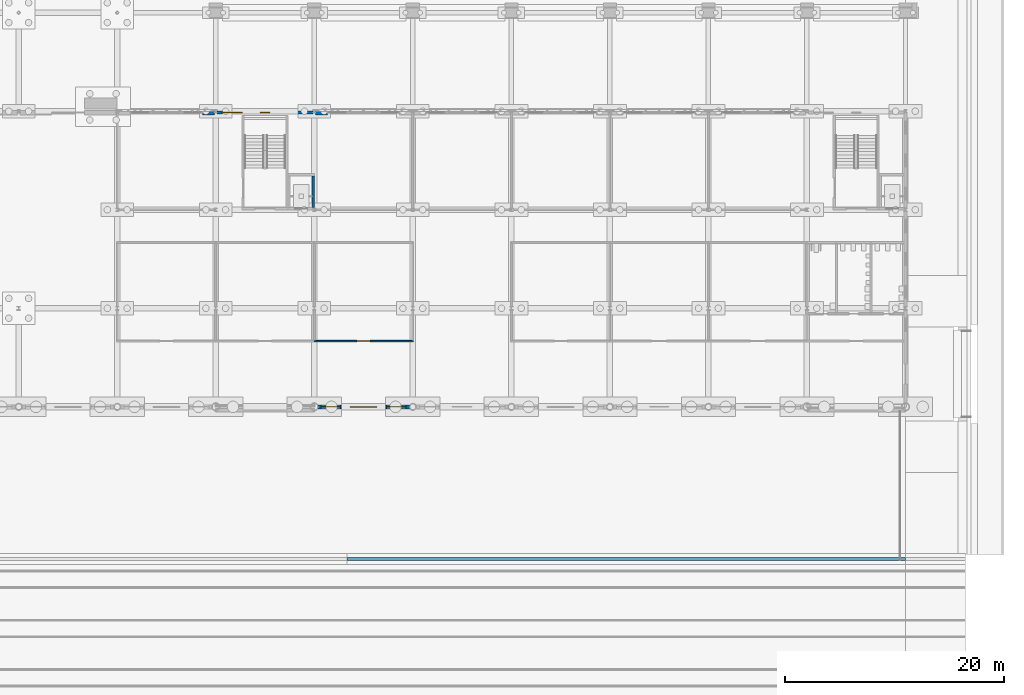
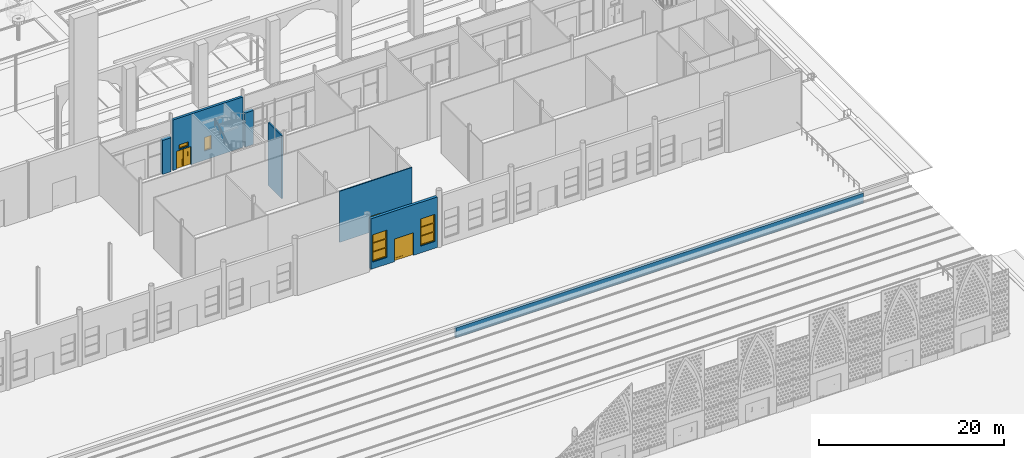
# One storey, part 127 of 250: 7 walls, 4 windows, 3 doors, 7 openings.
"""IFC4 building model written with IfcOpenShell, lengths in metres."""

from ifc_helpers import new_model, si_unit, direction, frame, frame_2d, origin, place, context, subcontext, project, spatial, polyline, rectangle, outline, extrude, material, layer, layer_set, type_object, element, fill, save


model = new_model("IFC4")

# Units and contexts
model_context = context("Model", 3, precision=1e-05, world=origin(), true_north=direction((0.0, 1.0)))
body_context = subcontext(model_context, "Body", "Model", "MODEL_VIEW")
ifc_project = project(units=[si_unit("LENGTHUNIT", "METRE"), si_unit("AREAUNIT", "SQUARE_METRE"), si_unit("VOLUMEUNIT", "CUBIC_METRE"), si_unit("PLANEANGLEUNIT", "RADIAN"), si_unit("MASSUNIT", "GRAM", prefix="KILO")], contexts=[model_context])

# Site, building, storey
site_placement = place(None, origin())
site = spatial("IfcSite", under=ifc_project, at=site_placement, CompositionType="ELEMENT")
building_placement = place(site_placement, origin())
building = spatial("IfcBuilding", under=site, at=building_placement, Name="Baradari Gate Terminus", CompositionType="ELEMENT")
storey_placement = place(building_placement, origin())
storey = spatial("IfcBuildingStorey", under=building, at=storey_placement, Name="L00", CompositionType="ELEMENT", Elevation=0.0)

# Wall, opening, door
ifc_material_1 = material(Name="Gypsum board")
ifc_layer_1 = layer(ifc_material_1, 0.125)
ifc_layer_set_1 = layer_set([ifc_layer_1], Name="Gypsum board")
wall_type_1 = type_object("IfcWallType", Name="Corridor partition PT-5 125 EI 30", PredefinedType="PARTITIONING", material=ifc_layer_set_1)
wall_1_placement = place(storey_placement, frame((189.0, 87.0, 0.0), z_axis=(0.0, 0.0, 1.0), x_axis=(1.0, 0.0, 0.0)))
wall_1 = element("IfcWall", 1, at=wall_1_placement, inside=storey, type_object=wall_type_1, Name="PT-5 partition Corridor (Platform Passage East) / First Aid Room", PredefinedType="PARTITIONING", context=body_context, shape_type="SweptSolid", body=[
    extrude(rectangle(XDim=9.0625, YDim=0.125, at=frame_2d((4.53125, 0.0))), origin(), (0.0, 0.0, 1.0), 6.757080078125),
])
opening_1_placement = place(wall_1_placement, frame((3.89990234375, 0.0, 0.0)))
opening_1 = element("IfcOpeningElement", 2, at=opening_1_placement, cuts=wall_1, Name="Opening D00-113", PredefinedType="OPENING", context=body_context, shape_type="SweptSolid", body=[
    extrude(rectangle(XDim=1.199951171875, YDim=2.10009765625, at=frame_2d((0.60009765625, 1.050048828125))), frame((0.0, 0.072509765625, 0.0), z_axis=(0.0, -1.0, 0.0), x_axis=(1.0, 0.0, 0.0)), (0.0, 0.0, 1.0), 0.14501953125),
])
ifc_material_2 = material(Name="Steel S275", Category="steel")
door_type_1 = type_object("IfcDoorType", Name="Fire door FI-1200-FD30S 1200x2100 FD30S", OperationType="DOUBLE_DOOR_SINGLE_SWING", PredefinedType="DOOR", material=ifc_material_2)
door_1_placement = place(opening_1_placement, origin())
door_1 = element("IfcDoor", 3, at=door_1_placement, inside=storey, type_object=door_type_1, Name="Door First Aid Room", OperationType="DOUBLE_DOOR_SINGLE_SWING", OverallHeight=2.1, OverallWidth=1.2, PredefinedType="DOOR", context=body_context, shape_type="SweptSolid", body=[
    extrude(outline(polyline([(0.0, 0.0), (0.070068359375, 0.0), (0.070068359375, 2.030029296875), (1.1298828125, 2.030029296875), (1.1298828125, 0.0), (1.199951171875, 0.0), (1.199951171875, 2.10009765625), (0.0, 2.10009765625), (0.0, 0.0)])), frame((0.0, 0.02490234375, 0.0), z_axis=(0.0, -1.0, 0.0), x_axis=(1.0, 0.0, 0.0)), (0.0, 0.0, 1.0), 0.050048828125),
    extrude(outline(polyline([(0.073974609375, 0.010009765625), (0.596923828125, 0.010009765625), (0.596923828125, 2.026123046875), (0.073974609375, 2.026123046875), (0.073974609375, 0.010009765625)]), holes=[polyline([(0.178466796875, 0.372802734375), (0.492431640625, 0.372802734375), (0.492431640625, 1.7841796875), (0.178466796875, 1.7841796875), (0.178466796875, 0.372802734375)])]), frame((0.0, 0.017333984375, 0.0), z_axis=(0.0, -1.0, 0.0), x_axis=(1.0, 0.0, 0.0)), (0.0, 0.0, 1.0), 0.034912109375),
    extrude(rectangle(XDim=0.31396484375, YDim=1.411376953125, at=frame_2d((0.33544921875, 1.07861328125))), frame((0.0, 0.008544921875, 0.0), z_axis=(0.0, -1.0, 0.0), x_axis=(1.0, 0.0, 0.0)), (0.0, 0.0, 1.0), 0.017333984375),
    extrude(outline(polyline([(0.60302734375, 0.010009765625), (1.1259765625, 0.010009765625), (1.1259765625, 2.026123046875), (0.60302734375, 2.026123046875), (0.60302734375, 0.010009765625)]), holes=[polyline([(0.70751953125, 0.372802734375), (1.021484375, 0.372802734375), (1.021484375, 1.7841796875), (0.70751953125, 1.7841796875), (0.70751953125, 0.372802734375)])]), frame((0.0, 0.017333984375, 0.0), z_axis=(0.0, -1.0, 0.0), x_axis=(1.0, 0.0, 0.0)), (0.0, 0.0, 1.0), 0.034912109375),
    extrude(rectangle(XDim=0.31396484375, YDim=1.411376953125, at=frame_2d((0.864501953125, 1.07861328125))), frame((0.0, 0.008544921875, 0.0), z_axis=(0.0, -1.0, 0.0), x_axis=(1.0, 0.0, 0.0)), (0.0, 0.0, 1.0), 0.017333984375),
])
fill(opening_1, door_1)

# Walls
ifc_material_3 = material(Name="Laterite masonry", Category="masonry")
ifc_layer_2 = layer(ifc_material_3, 0.449951171875)
ifc_layer_set_2 = layer_set([ifc_layer_2], Name="Laterite masonry")
wall_type_2 = type_object("IfcWallType", Name="Laterite masonry pier WC-1 450", PredefinedType="SOLIDWALL", material=ifc_layer_set_2)
for number, where, z_axis, x_axis, name in (
    (4, (178.800048828125, 107.87841796875, 0.0), (0.0, 0.0, 1.0), (1.0, 0.0, 0.0), "Stone-clad pier HN bay 19 L00"),
    (5, (189.128173828125, 107.87841796875, 0.0), (0.0, 0.0, 1.0), (1.0, 0.0, 0.0), "Stone-clad pier HN bay 21 L00"),
):
    element("IfcWall", number, at=place(storey_placement, frame(where, z_axis=z_axis, x_axis=x_axis)), inside=storey, type_object=wall_type_2, Name=name, PredefinedType="SOLIDWALL", context=body_context, shape_type="SweptSolid", body=[
        extrude(rectangle(XDim=1.07177734375, YDim=0.449951171875, at=frame_2d((0.535888671875, 0.0))), origin(), (0.0, 0.0, 1.0), 4.5),
    ])
ifc_material_4 = material(Name="Blockwork wall, fire rated", Category="masonry")
ifc_layer_3 = layer(ifc_material_4, 0.199951171875)
ifc_layer_set_3 = layer_set([ifc_layer_3], Name="Blockwork wall, fire rated")
wall_type_3 = type_object("IfcWallType", Name="Lift shaft wall SH-1 200 EI 120", PredefinedType="SOLIDWALL", material=ifc_layer_set_3)
wall_2_placement = place(storey_placement, frame((188.89990234375, 99.199951171875, -1.60009765625), z_axis=(0.0, 0.0, 1.0), x_axis=(0.0, 1.0, 0.0)))
element("IfcWall", 6, at=wall_2_placement, inside=storey, type_object=wall_type_3, Name="Lift shaft wall LH3 L00 E", PredefinedType="SOLIDWALL", context=body_context, shape_type="SweptSolid", body=[
    extrude(rectangle(XDim=2.900146484375, YDim=0.199951171875, at=frame_2d((1.4501953125, 0.0))), origin(), (0.0, 0.0, 1.0), 8.357177734375),
])
ifc_material_5 = material(Name="Concrete C40/50", Category="concrete")
ifc_layer_4 = layer(ifc_material_5, 0.300048828125)
ifc_layer_set_4 = layer_set([ifc_layer_4], Name="Concrete C40/50")
wall_type_4 = type_object("IfcWallType", Name="Platform edge wall CWL06 300", PredefinedType="SOLIDWALL", material=ifc_layer_set_4)
wall_3_placement = place(storey_placement, frame((192.0, 67.10009765625, -1.572021484375), z_axis=(0.0, 0.0, 1.0), x_axis=(1.0, 0.0, 0.0)))
element("IfcWall", 7, at=wall_3_placement, inside=storey, type_object=wall_type_4, Name="Platform 2 edge wall 4", PredefinedType="SOLIDWALL", context=body_context, shape_type="SweptSolid", body=[
    extrude(rectangle(XDim=51.0, YDim=0.300048828125, at=frame_2d((25.5, 0.0))), origin(), (0.0, 0.0, 1.0), 1.322021484375),
])

# Wall, openings, door, windows
ifc_material_6 = material(Name="Sandstone masonry", Category="masonry")
ifc_layer_5 = layer(ifc_material_6, 0.35009765625)
ifc_layer_set_5 = layer_set([ifc_layer_5], Name="Sandstone masonry")
wall_type_5 = type_object("IfcWallType", Name="Sandstone masonry wall WS-1 350", PredefinedType="SOLIDWALL", material=ifc_layer_set_5)
wall_4_placement = place(storey_placement, frame((189.35546875, 81.0, 0.0), z_axis=(0.0, 0.0, 1.0), x_axis=(1.0, 0.0, 0.0)))
wall_4 = element("IfcWall", 8, at=wall_4_placement, inside=storey, type_object=wall_type_5, Name="platform side HS bay 22 L00", PredefinedType="SOLIDWALL", context=body_context, shape_type="SweptSolid", body=[
    extrude(rectangle(XDim=8.339599609375, YDim=0.35009765625, at=frame_2d((4.169921875, 0.0))), origin(), (0.0, 0.0, 1.0), 6.692138671875),
])
opening_2_placement = place(wall_4_placement, frame((2.944580078125, 0.0, 0.0)))
opening_2 = element("IfcOpeningElement", 9, at=opening_2_placement, cuts=wall_4, Name="Opening D00-041", PredefinedType="OPENING", context=body_context, shape_type="SweptSolid", body=[
    extrude(rectangle(XDim=2.39990234375, YDim=3.0, at=frame_2d((1.199951171875, 1.5))), frame((0.0, 0.18505859375, 0.0), z_axis=(0.0, -1.0, 0.0), x_axis=(1.0, 0.0, 0.0)), (0.0, 0.0, 1.0), 0.3701171875),
])
opening_3_placement = place(wall_4_placement, frame((0.244384765625, 0.0, 0.89990234375)))
opening_3 = element("IfcOpeningElement", 10, at=opening_3_placement, cuts=wall_4, Name="Opening W3", PredefinedType="OPENING", context=body_context, shape_type="SweptSolid", body=[
    extrude(rectangle(XDim=1.800048828125, YDim=3.60009765625, at=frame_2d((0.89990234375, 1.800048828125))), frame((0.0, 0.18505859375, 0.0), z_axis=(0.0, -1.0, 0.0), x_axis=(1.0, 0.0, 0.0)), (0.0, 0.0, 1.0), 0.3701171875),
])
opening_4_placement = place(wall_4_placement, frame((6.244384765625, 0.0, 0.89990234375)))
opening_4 = element("IfcOpeningElement", 11, at=opening_4_placement, cuts=wall_4, Name="Opening W3", PredefinedType="OPENING", context=body_context, shape_type="SweptSolid", body=[
    extrude(rectangle(XDim=1.800048828125, YDim=3.60009765625, at=frame_2d((0.89990234375, 1.800048828125))), frame((0.0, 0.18505859375, 0.0), z_axis=(0.0, -1.0, 0.0), x_axis=(1.0, 0.0, 0.0)), (0.0, 0.0, 1.0), 0.3701171875),
])
ifc_material_7 = material(Name="Aluminium 6063-T6", Category="aluminium")
door_type_2 = type_object("IfcDoorType", Name="Platform door pair, glazed DT-7 2400x3000", OperationType="DOUBLE_DOOR_SINGLE_SWING", PredefinedType="DOOR", material=ifc_material_7)
door_2_placement = place(opening_2_placement, frame((2.39990234375, 0.0, 0.0), z_axis=(0.0, 0.0, 1.0), x_axis=(-1.0, 0.0, 0.0)))
door_2 = element("IfcDoor", 12, at=door_2_placement, inside=storey, type_object=door_type_2, Name="Exit door Corridor (Platform Passage East)", OperationType="DOUBLE_DOOR_SINGLE_SWING", OverallHeight=3.0, OverallWidth=2.4, PredefinedType="DOOR", context=body_context, shape_type="SweptSolid", body=[
    extrude(outline(polyline([(0.0, 0.0), (0.070068359375, 0.0), (0.070068359375, 2.929931640625), (2.329833984375, 2.929931640625), (2.329833984375, 0.0), (2.39990234375, 0.0), (2.39990234375, 3.0), (0.0, 3.0), (0.0, 0.0)])), frame((0.0, 0.02490234375, 0.0), z_axis=(0.0, -1.0, 0.0), x_axis=(1.0, 0.0, 0.0)), (0.0, 0.0, 1.0), 0.050048828125),
    extrude(outline(polyline([(0.073974609375, 0.010009765625), (1.19677734375, 0.010009765625), (1.19677734375, 2.926025390625), (0.073974609375, 2.926025390625), (0.073974609375, 0.010009765625)]), holes=[polyline([(0.1640625, 0.31005859375), (1.10693359375, 0.31005859375), (1.10693359375, 2.8359375), (0.1640625, 2.8359375), (0.1640625, 0.31005859375)])]), frame((0.0, 0.017333984375, 0.0), z_axis=(0.0, -1.0, 0.0), x_axis=(1.0, 0.0, 0.0)), (0.0, 0.0, 1.0), 0.034912109375),
    extrude(rectangle(XDim=0.94287109375, YDim=2.52587890625, at=frame_2d((0.635498046875, 1.572998046875))), frame((0.0, 0.005859375, 0.0), z_axis=(0.0, -1.0, 0.0), x_axis=(1.0, 0.0, 0.0)), (0.0, 0.0, 1.0), 0.011962890625),
    extrude(outline(polyline([(1.203125, 0.010009765625), (2.325927734375, 0.010009765625), (2.325927734375, 2.926025390625), (1.203125, 2.926025390625), (1.203125, 0.010009765625)]), holes=[polyline([(1.29296875, 0.31005859375), (2.23583984375, 0.31005859375), (2.23583984375, 2.8359375), (1.29296875, 2.8359375), (1.29296875, 0.31005859375)])]), frame((0.0, 0.017333984375, 0.0), z_axis=(0.0, -1.0, 0.0), x_axis=(1.0, 0.0, 0.0)), (0.0, 0.0, 1.0), 0.034912109375),
    extrude(rectangle(XDim=0.94287109375, YDim=2.52587890625, at=frame_2d((1.764404296875, 1.572998046875))), frame((0.0, 0.005859375, 0.0), z_axis=(0.0, -1.0, 0.0), x_axis=(1.0, 0.0, 0.0)), (0.0, 0.0, 1.0), 0.011962890625),
])
fill(opening_2, door_2)
ifc_material_8 = material(Name="Aluminium 6063-T6", Category="aluminium")
window_type_1 = type_object("IfcWindowType", Name="Tall window, 3-light W3 1800x3600", PartitioningType="TRIPLE_PANEL_HORIZONTAL", PredefinedType="WINDOW", material=ifc_material_8)
window_1_placement = place(opening_3_placement, origin())
window_1 = element("IfcWindow", 13, at=window_1_placement, inside=storey, type_object=window_type_1, Name="Window W3 HS/21", OverallHeight=3.6, OverallWidth=1.8, PartitioningType="TRIPLE_PANEL_HORIZONTAL", PredefinedType="WINDOW", context=body_context, shape_type="SweptSolid", body=[
    extrude(outline(polyline([(0.0, 0.0), (1.800048828125, 0.0), (1.800048828125, 3.60009765625), (0.0, 3.60009765625), (0.0, 0.0)]), holes=[polyline([(0.070068359375, 0.070068359375), (1.72998046875, 0.070068359375), (1.72998046875, 3.530029296875), (0.070068359375, 3.530029296875), (0.070068359375, 0.070068359375)])]), frame((0.0, 0.030029296875, 0.0), z_axis=(0.0, -1.0, 0.0), x_axis=(1.0, 0.0, 0.0)), (0.0, 0.0, 1.0), 0.06005859375),
    extrude(rectangle(XDim=1.659912109375, YDim=0.0400390625, at=frame_2d((0.89990234375, 1.216796875))), frame((0.0, 0.021484375, 0.0), z_axis=(0.0, -1.0, 0.0), x_axis=(1.0, 0.0, 0.0)), (0.0, 0.0, 1.0), 0.04296875),
    extrude(rectangle(XDim=1.659912109375, YDim=0.0400390625, at=frame_2d((0.89990234375, 2.38330078125))), frame((0.0, 0.021484375, 0.0), z_axis=(0.0, -1.0, 0.0), x_axis=(1.0, 0.0, 0.0)), (0.0, 0.0, 1.0), 0.04296875),
    extrude(outline(polyline([(0.070068359375, 0.070068359375), (1.72998046875, 0.070068359375), (1.72998046875, 1.19677734375), (0.070068359375, 1.19677734375), (0.070068359375, 0.070068359375)]), holes=[polyline([(0.10009765625, 0.10009765625), (1.699951171875, 0.10009765625), (1.699951171875, 1.166748046875), (0.10009765625, 1.166748046875), (0.10009765625, 0.10009765625)])]), frame((0.0, 0.0224609375, 0.0), z_axis=(0.0, -1.0, 0.0), x_axis=(1.0, 0.0, 0.0)), (0.0, 0.0, 1.0), 0.044921875),
    extrude(rectangle(XDim=1.599853515625, YDim=1.066650390625, at=frame_2d((0.89990234375, 0.63330078125))), frame((0.0, 0.006103515625, 0.0), z_axis=(0.0, -1.0, 0.0), x_axis=(1.0, 0.0, 0.0)), (0.0, 0.0, 1.0), 0.01220703125),
    extrude(outline(polyline([(0.070068359375, 1.23681640625), (1.72998046875, 1.23681640625), (1.72998046875, 2.36328125), (0.070068359375, 2.36328125), (0.070068359375, 1.23681640625)]), holes=[polyline([(0.10009765625, 1.266845703125), (1.699951171875, 1.266845703125), (1.699951171875, 2.333251953125), (0.10009765625, 2.333251953125), (0.10009765625, 1.266845703125)])]), frame((0.0, 0.0224609375, 0.0), z_axis=(0.0, -1.0, 0.0), x_axis=(1.0, 0.0, 0.0)), (0.0, 0.0, 1.0), 0.044921875),
    extrude(rectangle(XDim=1.599853515625, YDim=1.06640625, at=frame_2d((0.89990234375, 1.800048828125))), frame((0.0, 0.006103515625, 0.0), z_axis=(0.0, -1.0, 0.0), x_axis=(1.0, 0.0, 0.0)), (0.0, 0.0, 1.0), 0.01220703125),
    extrude(outline(polyline([(0.070068359375, 2.4033203125), (1.72998046875, 2.4033203125), (1.72998046875, 3.530029296875), (0.070068359375, 3.530029296875), (0.070068359375, 2.4033203125)]), holes=[polyline([(0.10009765625, 2.433349609375), (1.699951171875, 2.433349609375), (1.699951171875, 3.5), (0.10009765625, 3.5), (0.10009765625, 2.433349609375)])]), frame((0.0, 0.0224609375, 0.0), z_axis=(0.0, -1.0, 0.0), x_axis=(1.0, 0.0, 0.0)), (0.0, 0.0, 1.0), 0.044921875),
    extrude(rectangle(XDim=1.599853515625, YDim=1.066650390625, at=frame_2d((0.89990234375, 2.966796875))), frame((0.0, 0.006103515625, 0.0), z_axis=(0.0, -1.0, 0.0), x_axis=(1.0, 0.0, 0.0)), (0.0, 0.0, 1.0), 0.01220703125),
])
fill(opening_3, window_1)
window_2_placement = place(opening_4_placement, origin())
window_2 = element("IfcWindow", 14, at=window_2_placement, inside=storey, type_object=window_type_1, Name="Window W3 HS/21", OverallHeight=3.6, OverallWidth=1.8, PartitioningType="TRIPLE_PANEL_HORIZONTAL", PredefinedType="WINDOW", context=body_context, shape_type="SweptSolid", body=[
    extrude(outline(polyline([(0.0, 0.0), (1.800048828125, 0.0), (1.800048828125, 3.60009765625), (0.0, 3.60009765625), (0.0, 0.0)]), holes=[polyline([(0.070068359375, 0.070068359375), (1.72998046875, 0.070068359375), (1.72998046875, 3.530029296875), (0.070068359375, 3.530029296875), (0.070068359375, 0.070068359375)])]), frame((0.0, 0.030029296875, 0.0), z_axis=(0.0, -1.0, 0.0), x_axis=(1.0, 0.0, 0.0)), (0.0, 0.0, 1.0), 0.06005859375),
    extrude(rectangle(XDim=1.659912109375, YDim=0.0400390625, at=frame_2d((0.89990234375, 1.216796875))), frame((0.0, 0.021484375, 0.0), z_axis=(0.0, -1.0, 0.0), x_axis=(1.0, 0.0, 0.0)), (0.0, 0.0, 1.0), 0.04296875),
    extrude(rectangle(XDim=1.659912109375, YDim=0.0400390625, at=frame_2d((0.89990234375, 2.38330078125))), frame((0.0, 0.021484375, 0.0), z_axis=(0.0, -1.0, 0.0), x_axis=(1.0, 0.0, 0.0)), (0.0, 0.0, 1.0), 0.04296875),
    extrude(outline(polyline([(0.070068359375, 0.070068359375), (1.72998046875, 0.070068359375), (1.72998046875, 1.19677734375), (0.070068359375, 1.19677734375), (0.070068359375, 0.070068359375)]), holes=[polyline([(0.10009765625, 0.10009765625), (1.699951171875, 0.10009765625), (1.699951171875, 1.166748046875), (0.10009765625, 1.166748046875), (0.10009765625, 0.10009765625)])]), frame((0.0, 0.0224609375, 0.0), z_axis=(0.0, -1.0, 0.0), x_axis=(1.0, 0.0, 0.0)), (0.0, 0.0, 1.0), 0.044921875),
    extrude(rectangle(XDim=1.599853515625, YDim=1.066650390625, at=frame_2d((0.89990234375, 0.63330078125))), frame((0.0, 0.006103515625, 0.0), z_axis=(0.0, -1.0, 0.0), x_axis=(1.0, 0.0, 0.0)), (0.0, 0.0, 1.0), 0.01220703125),
    extrude(outline(polyline([(0.070068359375, 1.23681640625), (1.72998046875, 1.23681640625), (1.72998046875, 2.36328125), (0.070068359375, 2.36328125), (0.070068359375, 1.23681640625)]), holes=[polyline([(0.10009765625, 1.266845703125), (1.699951171875, 1.266845703125), (1.699951171875, 2.333251953125), (0.10009765625, 2.333251953125), (0.10009765625, 1.266845703125)])]), frame((0.0, 0.0224609375, 0.0), z_axis=(0.0, -1.0, 0.0), x_axis=(1.0, 0.0, 0.0)), (0.0, 0.0, 1.0), 0.044921875),
    extrude(rectangle(XDim=1.599853515625, YDim=1.06640625, at=frame_2d((0.89990234375, 1.800048828125))), frame((0.0, 0.006103515625, 0.0), z_axis=(0.0, -1.0, 0.0), x_axis=(1.0, 0.0, 0.0)), (0.0, 0.0, 1.0), 0.01220703125),
    extrude(outline(polyline([(0.070068359375, 2.4033203125), (1.72998046875, 2.4033203125), (1.72998046875, 3.530029296875), (0.070068359375, 3.530029296875), (0.070068359375, 2.4033203125)]), holes=[polyline([(0.10009765625, 2.433349609375), (1.699951171875, 2.433349609375), (1.699951171875, 3.5), (0.10009765625, 3.5), (0.10009765625, 2.433349609375)])]), frame((0.0, 0.0224609375, 0.0), z_axis=(0.0, -1.0, 0.0), x_axis=(1.0, 0.0, 0.0)), (0.0, 0.0, 1.0), 0.044921875),
    extrude(rectangle(XDim=1.599853515625, YDim=1.066650390625, at=frame_2d((0.89990234375, 2.966796875))), frame((0.0, 0.006103515625, 0.0), z_axis=(0.0, -1.0, 0.0), x_axis=(1.0, 0.0, 0.0)), (0.0, 0.0, 1.0), 0.01220703125),
])
fill(opening_4, window_2)

# Wall, openings, windows, door
ifc_material_9 = material(Name="Concrete C32/40", Category="concrete")
ifc_layer_6 = layer(ifc_material_9, 0.2)
ifc_material_10 = material(Name="Sandstone cladding", Category="masonry")
ifc_layer_7 = layer(ifc_material_10, 0.1)
ifc_layer_set_6 = layer_set([ifc_layer_6, ifc_layer_7], Name="Concrete C32/40")
wall_type_6 = type_object("IfcWallType", Name="Stair enclosure cladding wall WS-2 300", PredefinedType="SOLIDWALL", material=ifc_layer_set_6)
wall_5_placement = place(storey_placement, frame((180.128173828125, 107.87841796875, 0.0), z_axis=(0.0, 0.0, 1.0), x_axis=(1.0, 0.0, 0.0)))
wall_5 = element("IfcWall", 15, at=wall_5_placement, inside=storey, type_object=wall_type_6, Name="arcade HN bay 21 L00", PredefinedType="SOLIDWALL", context=body_context, shape_type="SweptSolid", body=[
    extrude(rectangle(XDim=8.74365234375, YDim=0.300048828125, at=frame_2d((4.371826171875, 0.0))), origin(), (0.0, 0.0, 1.0), 6.692138671875),
])
opening_5_placement = place(wall_5_placement, frame((0.471923828125, 0.0, 0.0)))
opening_5 = element("IfcOpeningElement", 16, at=opening_5_placement, cuts=wall_5, Name="Opening D00-026", PredefinedType="OPENING", context=body_context, shape_type="SweptSolid", body=[
    extrude(rectangle(XDim=1.800048828125, YDim=2.39990234375, at=frame_2d((0.89990234375, 1.199951171875))), frame((0.0, 0.159912109375, 0.0), z_axis=(0.0, -1.0, 0.0), x_axis=(1.0, 0.0, 0.0)), (0.0, 0.0, 1.0), 0.320068359375),
])
opening_6_placement = place(wall_5_placement, frame((0.771728515625, 0.0, 2.550048828125)))
opening_6 = element("IfcOpeningElement", 17, at=opening_6_placement, cuts=wall_5, Name="Opening W10", PredefinedType="OPENING", context=body_context, shape_type="SweptSolid", body=[
    extrude(rectangle(XDim=1.199951171875, YDim=0.60009765625, at=frame_2d((0.60009765625, 0.300048828125))), frame((0.0, 0.159912109375, 0.0), z_axis=(0.0, -1.0, 0.0), x_axis=(1.0, 0.0, 0.0)), (0.0, 0.0, 1.0), 0.320068359375),
])
opening_7_placement = place(wall_5_placement, frame((3.921875, 0.0, 1.199951171875)))
opening_7 = element("IfcOpeningElement", 18, at=opening_7_placement, cuts=wall_5, Name="Opening W6", PredefinedType="OPENING", context=body_context, shape_type="SweptSolid", body=[
    extrude(rectangle(XDim=0.89990234375, YDim=1.800048828125, at=frame_2d((0.449951171875, 0.89990234375))), frame((0.0, 0.159912109375, 0.0), z_axis=(0.0, -1.0, 0.0), x_axis=(1.0, 0.0, 0.0)), (0.0, 0.0, 1.0), 0.320068359375),
])
ifc_material_11 = material(Name="Aluminium 6063-T6", Category="aluminium")
window_type_2 = type_object("IfcWindowType", Name="Door fanlight W10 1200x600", PartitioningType="SINGLE_PANEL", PredefinedType="WINDOW", material=ifc_material_11)
window_3_placement = place(opening_6_placement, origin())
window_3 = element("IfcWindow", 19, at=window_3_placement, inside=storey, type_object=window_type_2, Name="Fanlight over Corridor (Stair Passage)", OverallHeight=0.6, OverallWidth=1.2, PartitioningType="SINGLE_PANEL", PredefinedType="WINDOW", context=body_context, shape_type="SweptSolid", body=[
    extrude(outline(polyline([(0.0, 0.0), (1.199951171875, 0.0), (1.199951171875, 0.60009765625), (0.0, 0.60009765625), (0.0, 0.0)]), holes=[polyline([(0.070068359375, 0.070068359375), (1.1298828125, 0.070068359375), (1.1298828125, 0.530029296875), (0.070068359375, 0.530029296875), (0.070068359375, 0.070068359375)])]), frame((0.0, 0.030029296875, 0.0), z_axis=(0.0, -1.0, 0.0), x_axis=(1.0, 0.0, 0.0)), (0.0, 0.0, 1.0), 0.06005859375),
    extrude(outline(polyline([(0.070068359375, 0.070068359375), (1.1298828125, 0.070068359375), (1.1298828125, 0.530029296875), (0.070068359375, 0.530029296875), (0.070068359375, 0.070068359375)]), holes=[polyline([(0.10009765625, 0.10009765625), (1.099853515625, 0.10009765625), (1.099853515625, 0.5), (0.10009765625, 0.5), (0.10009765625, 0.10009765625)])]), frame((0.0, 0.0224609375, 0.0), z_axis=(0.0, -1.0, 0.0), x_axis=(1.0, 0.0, 0.0)), (0.0, 0.0, 1.0), 0.044921875),
    extrude(rectangle(XDim=0.999755859375, YDim=0.39990234375, at=frame_2d((0.60009765625, 0.300048828125))), frame((0.0, 0.006103515625, 0.0), z_axis=(0.0, -1.0, 0.0), x_axis=(1.0, 0.0, 0.0)), (0.0, 0.0, 1.0), 0.01220703125),
])
fill(opening_6, window_3)
ifc_material_12 = material(Name="Steel S235", Category="steel")
door_type_3 = type_object("IfcDoorType", Name="Stair exit door pair, steel DT-4 1800x2400", OperationType="DOUBLE_DOOR_SINGLE_SWING", PredefinedType="DOOR", material=ifc_material_12)
door_3_placement = place(opening_5_placement, origin())
door_3 = element("IfcDoor", 20, at=door_3_placement, inside=storey, type_object=door_type_3, Name="Exit door Corridor (Stair Passage)", OperationType="DOUBLE_DOOR_SINGLE_SWING", OverallHeight=2.4, OverallWidth=1.8, PredefinedType="DOOR", context=body_context, shape_type="SweptSolid", body=[
    extrude(outline(polyline([(0.0, 0.0), (0.070068359375, 0.0), (0.070068359375, 2.329833984375), (1.72998046875, 2.329833984375), (1.72998046875, 0.0), (1.800048828125, 0.0), (1.800048828125, 2.39990234375), (0.0, 2.39990234375), (0.0, 0.0)])), frame((0.0, 0.02490234375, 0.0), z_axis=(0.0, -1.0, 0.0), x_axis=(1.0, 0.0, 0.0)), (0.0, 0.0, 1.0), 0.050048828125),
    extrude(outline(polyline([(0.073974609375, 0.010009765625), (0.89697265625, 0.010009765625), (0.89697265625, 2.325927734375), (0.073974609375, 2.325927734375), (0.073974609375, 0.010009765625)]), holes=[polyline([(0.194091796875, 0.159912109375), (0.77685546875, 0.159912109375), (0.77685546875, 1.010009765625), (0.194091796875, 1.010009765625), (0.194091796875, 0.159912109375)]), polyline([(0.33544921875, 1.159912109375), (0.635498046875, 1.159912109375), (0.635498046875, 1.760009765625), (0.33544921875, 1.760009765625), (0.33544921875, 1.159912109375)])]), frame((0.0, 0.017333984375, 0.0), z_axis=(0.0, -1.0, 0.0), x_axis=(1.0, 0.0, 0.0)), (0.0, 0.0, 1.0), 0.034912109375),
    extrude(rectangle(XDim=0.582763671875, YDim=0.85009765625, at=frame_2d((0.4853515625, 0.5849609375))), frame((0.0, 0.008544921875, 0.0), z_axis=(0.0, -1.0, 0.0), x_axis=(1.0, 0.0, 0.0)), (0.0, 0.0, 1.0), 0.017333984375),
    extrude(rectangle(XDim=0.300048828125, YDim=0.60009765625, at=frame_2d((0.4853515625, 1.4599609375))), frame((0.0, 0.005859375, 0.0), z_axis=(0.0, -1.0, 0.0), x_axis=(1.0, 0.0, 0.0)), (0.0, 0.0, 1.0), 0.011962890625),
    extrude(outline(polyline([(0.903076171875, 0.010009765625), (1.72607421875, 0.010009765625), (1.72607421875, 2.325927734375), (0.903076171875, 2.325927734375), (0.903076171875, 0.010009765625)]), holes=[polyline([(1.023193359375, 0.159912109375), (1.60595703125, 0.159912109375), (1.60595703125, 1.010009765625), (1.023193359375, 1.010009765625), (1.023193359375, 0.159912109375)]), polyline([(1.16455078125, 1.159912109375), (1.464599609375, 1.159912109375), (1.464599609375, 1.760009765625), (1.16455078125, 1.760009765625), (1.16455078125, 1.159912109375)])]), frame((0.0, 0.017333984375, 0.0), z_axis=(0.0, -1.0, 0.0), x_axis=(1.0, 0.0, 0.0)), (0.0, 0.0, 1.0), 0.034912109375),
    extrude(rectangle(XDim=0.582763671875, YDim=0.85009765625, at=frame_2d((1.314453125, 0.5849609375))), frame((0.0, 0.008544921875, 0.0), z_axis=(0.0, -1.0, 0.0), x_axis=(1.0, 0.0, 0.0)), (0.0, 0.0, 1.0), 0.017333984375),
    extrude(rectangle(XDim=0.300048828125, YDim=0.60009765625, at=frame_2d((1.314453125, 1.4599609375))), frame((0.0, 0.005859375, 0.0), z_axis=(0.0, -1.0, 0.0), x_axis=(1.0, 0.0, 0.0)), (0.0, 0.0, 1.0), 0.011962890625),
])
fill(opening_5, door_3)
ifc_material_13 = material(Name="Aluminium 6063-T6", Category="aluminium")
window_type_3 = type_object("IfcWindowType", Name="Stair light W6 900x1800", PartitioningType="SINGLE_PANEL", PredefinedType="WINDOW", material=ifc_material_13)
window_4_placement = place(opening_7_placement, origin())
window_4 = element("IfcWindow", 21, at=window_4_placement, inside=storey, type_object=window_type_3, Name="Window W6 HN/20", OverallHeight=1.8, OverallWidth=0.9, PartitioningType="SINGLE_PANEL", PredefinedType="WINDOW", context=body_context, shape_type="SweptSolid", body=[
    extrude(outline(polyline([(0.0, 0.0), (0.89990234375, 0.0), (0.89990234375, 1.800048828125), (0.0, 1.800048828125), (0.0, 0.0)]), holes=[polyline([(0.070068359375, 0.070068359375), (0.829833984375, 0.070068359375), (0.829833984375, 1.72998046875), (0.070068359375, 1.72998046875), (0.070068359375, 0.070068359375)])]), frame((0.0, 0.030029296875, 0.0), z_axis=(0.0, -1.0, 0.0), x_axis=(1.0, 0.0, 0.0)), (0.0, 0.0, 1.0), 0.06005859375),
    extrude(outline(polyline([(0.070068359375, 0.070068359375), (0.829833984375, 0.070068359375), (0.829833984375, 1.72998046875), (0.070068359375, 1.72998046875), (0.070068359375, 0.070068359375)]), holes=[polyline([(0.10009765625, 0.10009765625), (0.7998046875, 0.10009765625), (0.7998046875, 1.699951171875), (0.10009765625, 1.699951171875), (0.10009765625, 0.10009765625)])]), frame((0.0, 0.0224609375, 0.0), z_axis=(0.0, -1.0, 0.0), x_axis=(1.0, 0.0, 0.0)), (0.0, 0.0, 1.0), 0.044921875),
    extrude(rectangle(XDim=0.69970703125, YDim=1.599853515625, at=frame_2d((0.449951171875, 0.89990234375))), frame((0.0, 0.006103515625, 0.0), z_axis=(0.0, -1.0, 0.0), x_axis=(1.0, 0.0, 0.0)), (0.0, 0.0, 1.0), 0.01220703125),
])
fill(opening_7, window_4)

save(model, "model.ifc")
